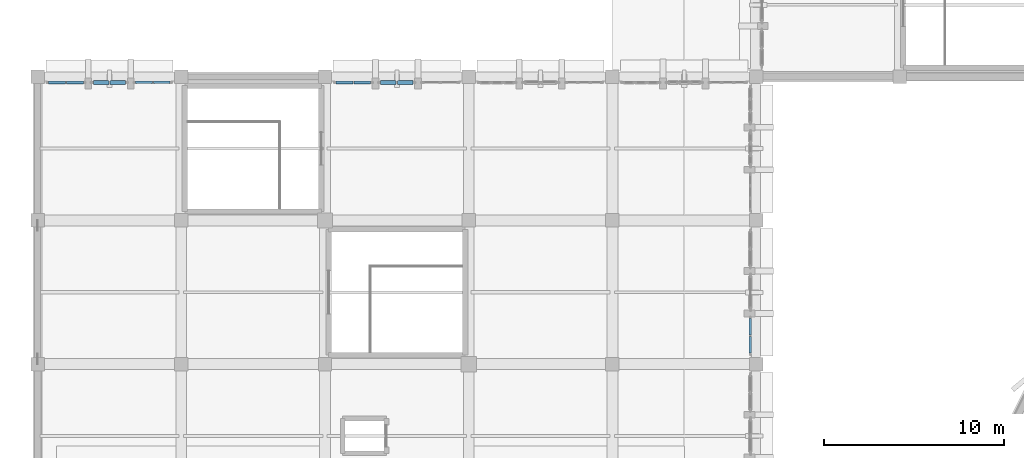
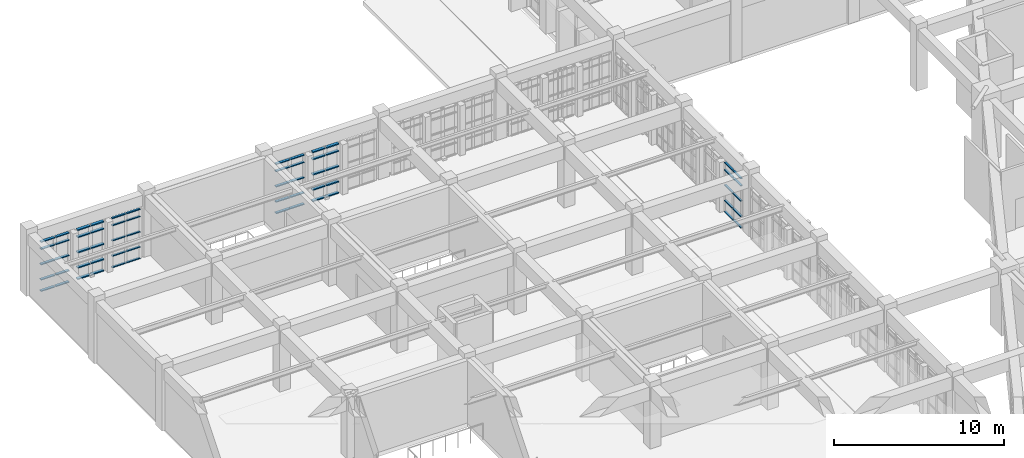
# One storey, part 64 of 155: 60 members, 6 elements without a shape of their own.
"""IFC4 building model written with IfcOpenShell, lengths in metres."""

import ifcopenshell
import ifcopenshell.guid

model = None  # the IFC model being written
_history = None  # IfcOwnerHistory: only IFC2X3 demands one
_inside = {}  # id of a spatial element -> (the spatial element, [elements in it])
_under = {}  # id of a project, library or spatial element -> (it, [spatial elements below it])
_declared = {}  # id of a project -> (the project, [libraries it declares])
_typed = {}  # id of a type object -> (the type object, [elements of that type])
_made_of = {}  # id of a material, layer set ... -> (it, [elements and type objects made of it])


def new_model(schema):
    """Start an empty IFC model of exactly this schema.

    Asked for "IFC4X3", IfcOpenShell would pick the latest addendum, in which some entities
    have other attributes; the version numbers below select the first issue.
    IFC2X3 requires an IfcOwnerHistory on every rooted entity: one is made here for all.
    """
    global model, _history
    if schema == "IFC4X3":
        model = ifcopenshell.file(schema_version=(4, 3, 0, 0))
    else:
        model = ifcopenshell.file(schema=schema)
    _inside.clear()
    _under.clear()
    _declared.clear()
    _typed.clear()
    _made_of.clear()
    _history = None
    if model.schema == "IFC2X3":
        org = make("IfcOrganization", Name="unknown")
        user = make(
            "IfcPersonAndOrganization",
            ThePerson=make("IfcPerson", FamilyName="unknown"),
            TheOrganization=org,
        )
        app = make(
            "IfcApplication",
            ApplicationDeveloper=org,
            Version="unknown",
            ApplicationFullName="unknown",
            ApplicationIdentifier="unknown",
        )
        _history = make(
            "IfcOwnerHistory",
            OwningUser=user,
            OwningApplication=app,
            ChangeAction="ADDED",
            CreationDate=0,
        )
    return model


def make(cls, **values):
    """One entity of the class cls with the attributes given. An attribute that is None is left unset."""
    return model.create_entity(
        cls, **{name: value for name, value in values.items() if value is not None}
    )


def rooted(cls, **values):
    """An entity with a GlobalId (a new one), such as an element, a storey or a relation."""
    return make(cls, GlobalId=ifcopenshell.guid.new(), OwnerHistory=_history, **values)


def si_unit(unit_type, name, prefix=None):
    """IfcSIUnit, for example si_unit("LENGTHUNIT", "METRE", prefix="MILLI")."""
    return make("IfcSIUnit", UnitType=unit_type, Prefix=prefix, Name=name)


def assignment(units):
    """IfcUnitAssignment: the units of a project."""
    return None if units is None else make("IfcUnitAssignment", Units=units)


def point(xyz):
    """IfcCartesianPoint."""
    return None if xyz is None else make("IfcCartesianPoint", Coordinates=xyz)


def direction(xyz):
    """IfcDirection."""
    return None if xyz is None else make("IfcDirection", DirectionRatios=xyz)


def frame(location, z_axis=None, x_axis=None):
    """IfcAxis2Placement3D, a coordinate frame: its origin and axes. An axis left out is left unset."""
    return make(
        "IfcAxis2Placement3D",
        Location=point(location),
        Axis=direction(z_axis),
        RefDirection=direction(x_axis),
    )


def frame_2d(location, x_axis=None):
    """IfcAxis2Placement2D, a coordinate frame in the plane: its origin and x axis."""
    return make(
        "IfcAxis2Placement2D", Location=point(location), RefDirection=direction(x_axis)
    )


def origin():
    """The frame at (0, 0, 0) with its axes left unset."""
    return frame((0.0, 0.0, 0.0))


def origin_2d():
    """The frame at (0, 0) in the plane with its x axis left unset."""
    return frame_2d((0.0, 0.0))


def place(relative_to, where):
    """IfcLocalPlacement: puts the frame where relative to a parent placement (None: the world)."""
    return make(
        "IfcLocalPlacement", PlacementRelTo=relative_to, RelativePlacement=where
    )


def context(
    kind, dimensions, precision=None, world=None, true_north=None, identifier=None
):
    """IfcGeometricRepresentationContext, for example the 3D "Model" context."""
    return make(
        "IfcGeometricRepresentationContext",
        ContextIdentifier=identifier,
        ContextType=kind,
        CoordinateSpaceDimension=dimensions,
        Precision=precision,
        WorldCoordinateSystem=world,
        TrueNorth=true_north,
    )


def subcontext(parent, identifier, kind, view, scale=None):
    """IfcGeometricRepresentationSubContext, for example "Body" below "Model"."""
    return make(
        "IfcGeometricRepresentationSubContext",
        ContextIdentifier=identifier,
        ContextType=kind,
        ParentContext=parent,
        TargetScale=scale,
        TargetView=view,
    )


def project(units=None, contexts=None):
    """IfcProject with its units and contexts."""
    return rooted(
        "IfcProject",
        Name="project",
        RepresentationContexts=contexts,
        UnitsInContext=assignment(units),
    )


def spatial(cls, under=None, at=None, **own):
    """A site, building, storey or space (cls), placed at a placement, below another one or the project."""
    s = rooted(cls, ObjectPlacement=at, **own)
    if under is not None:
        _under.setdefault(under.id(), (under, []))[1].append(s)
    return s


def profile(cls, at=None, kind="AREA", **sizes):
    """A parametric profile (cls). Its sizes go by their IFC names, for example OverallWidth=200.0."""
    return make(cls, ProfileType=kind, Position=at, **sizes)


def rectangle(**sizes):
    """IfcRectangleProfileDef."""
    return profile("IfcRectangleProfileDef", **sizes)


def extrude(swept, where, along, depth):
    """IfcExtrudedAreaSolid: the profile swept, set in the frame where, extruded along a direction by depth."""
    return make(
        "IfcExtrudedAreaSolid",
        SweptArea=swept,
        Position=where,
        ExtrudedDirection=direction(along),
        Depth=depth,
    )


def shape(context_of_items, identifier, shape_type, items):
    """IfcShapeRepresentation: the items that make up one representation, for example the "Body"."""
    return make(
        "IfcShapeRepresentation",
        ContextOfItems=context_of_items,
        RepresentationIdentifier=identifier,
        RepresentationType=shape_type,
        Items=items,
    )


def material(Name=None, Category=None):
    """IfcMaterial."""
    return make("IfcMaterial", Name=Name, Category=Category)


def layer(
    of_material, thickness, ventilated=None, Name=None, Category=None, Priority=None
):
    """IfcMaterialLayer: one layer of a wall or slab, of a material (None: an air gap)."""
    return make(
        "IfcMaterialLayer",
        Material=of_material,
        LayerThickness=thickness,
        IsVentilated=ventilated,
        Name=Name,
        Category=Category,
        Priority=Priority,
    )


def layer_set(layers, Name=None):
    """IfcMaterialLayerSet."""
    return make("IfcMaterialLayerSet", MaterialLayers=layers, LayerSetName=Name)


def material_profile(
    of_material, cross_section, Name=None, Category=None, Priority=None
):
    """IfcMaterialProfile: a cross section and its material."""
    return make(
        "IfcMaterialProfile",
        Name=Name,
        Material=of_material,
        Profile=cross_section,
        Priority=Priority,
        Category=Category,
    )


def profile_set(profiles, Name=None, composite=None):
    """IfcMaterialProfileSet."""
    return make(
        "IfcMaterialProfileSet",
        Name=Name,
        MaterialProfiles=profiles,
        CompositeProfile=composite,
    )


def made_of(thing, what):
    """Note that an element or type object is made of a material, layer set ...; save() writes the relation."""
    if what is not None:
        _made_of.setdefault(what.id(), (what, []))[1].append(thing)
    return thing


def type_object(cls, material=None, **own):
    """A type object (cls), such as IfcWallType, which elements share."""
    return made_of(rooted(cls, **own), material)


def element(
    cls,
    number,
    at=None,
    inside=None,
    cuts=None,
    type_object=None,
    material=None,
    context=None,
    identifier="Body",
    shape_type=None,
    held_by="IfcProductDefinitionShape",
    body=None,
    shapes=None,
    **own,
):
    """One element of the class cls, such as IfcWall. Its Tag is "e" and its number.

    at: its placement. inside: the storey or other place that contains it. cuts: it is an
    opening in that element (IfcRelVoidsElement). A single representation is given by context,
    identifier, shape_type and body (its items); several are given by shapes. held_by: the class
    of the entity that holds the representations. save() writes the other relations.
    """
    e = rooted(cls, Tag="e%d" % number, ObjectPlacement=at, **own)
    if body is not None:
        shapes = [shape(context, identifier, shape_type, body)]
    if shapes is not None:
        e.Representation = make(held_by, Representations=shapes)
    if inside is not None:
        _inside.setdefault(inside.id(), (inside, []))[1].append(e)
    if cuts is not None:
        rooted(
            "IfcRelVoidsElement", RelatingBuildingElement=cuts, RelatedOpeningElement=e
        )
    if type_object is not None:
        _typed.setdefault(type_object.id(), (type_object, []))[1].append(e)
    return made_of(e, material)


def aggregate(whole, parts):
    """IfcRelAggregates: a whole, such as a stair, and the parts it consists of."""
    return rooted("IfcRelAggregates", RelatingObject=whole, RelatedObjects=parts)


def save(model, path):
    """Write the relations noted so far, then the file.

    IfcRelAggregates (storeys below a building ...), IfcRelContainedInSpatialStructure (elements
    in a storey), IfcRelDefinesByType, IfcRelAssociatesMaterial and IfcRelDeclares: one each for
    every whole, place, type object, material and project.
    """
    for whole, parts in _under.values():
        aggregate(whole, parts)
    for where, things in _inside.values():
        rooted(
            "IfcRelContainedInSpatialStructure",
            RelatedElements=things,
            RelatingStructure=where,
        )
    for kind, things in _typed.values():
        rooted("IfcRelDefinesByType", RelatedObjects=things, RelatingType=kind)
    for what, things in _made_of.values():
        rooted("IfcRelAssociatesMaterial", RelatedObjects=things, RelatingMaterial=what)
    for by, libraries in _declared.values():
        rooted("IfcRelDeclares", RelatingContext=by, RelatedDefinitions=libraries)
    model.write(path)


model = new_model("IFC4")

# Units and contexts
model_context = context("Model", 3, precision=1e-05, world=origin(), true_north=direction((0.0, 1.0)))
body_context = subcontext(model_context, "Body", "Model", "MODEL_VIEW")
ifc_project = project(units=[si_unit("LENGTHUNIT", "METRE"), si_unit("AREAUNIT", "SQUARE_METRE"), si_unit("VOLUMEUNIT", "CUBIC_METRE"), si_unit("PLANEANGLEUNIT", "RADIAN"), si_unit("MASSUNIT", "GRAM", prefix="KILO")], contexts=[model_context])

# Site, building, storey
site_placement = place(None, origin())
site = spatial("IfcSite", under=ifc_project, at=site_placement, CompositionType="ELEMENT")
building_placement = place(site_placement, origin())
building = spatial("IfcBuilding", under=site, at=building_placement, Name="Tazarka Park Arena", CompositionType="ELEMENT")
storey_placement = place(building_placement, frame((0.0, 0.0, 5.39990234375)))
storey = spatial("IfcBuildingStorey", under=building, at=storey_placement, Name="L01", CompositionType="ELEMENT", Elevation=5.39990234375)

# Curtain wall, members
ifc_material_1 = material(Name="Aluminium and low-e glass", Category="aluminium")
ifc_layer_1 = layer(ifc_material_1, 0.179931640625, Name="Aluminium and low-e glass")
ifc_layer_set_1 = layer_set([ifc_layer_1], Name="Aluminium and low-e glass")
curtain_wall_type_1 = type_object("IfcCurtainWallType", Name="CW-30", PredefinedType="NOTDEFINED", material=ifc_layer_set_1)
curtain_wall_1_placement = place(storey_placement, origin())
curtain_wall_1 = element("IfcCurtainWall", 1, at=curtain_wall_1_placement, inside=storey, type_object=curtain_wall_type_1, Name="Curtain Wall CWA-L01-120", PredefinedType="NOTDEFINED")
ifc_material_2 = material(Name="Aluminium 6060-T66", Category="aluminium")
ifc_material_profile_1 = material_profile(ifc_material_2, rectangle(XDim=0.139892578125, YDim=0.06494140625, at=origin_2d()), Name="Aluminium 6060-T66")
ifc_profile_set_1 = profile_set([ifc_material_profile_1], Name="Aluminium 6060-T66")
member_type_1 = type_object("IfcMemberType", Name="CWT-01", PredefinedType="USERDEFINED", material=ifc_profile_set_1)
member_1_placement = place(storey_placement, frame((39.679931640625, 98.543212890625, 0.03271484375), z_axis=(0.0, -1.0, 0.0), x_axis=(1.0, 0.0, 0.0)))
member_1 = element("IfcMember", 2, at=member_1_placement, type_object=member_type_1, Name="CW-30 transom 1.1", ObjectType="TRANSOM", PredefinedType="USERDEFINED", context=body_context, shape_type="SweptSolid", body=[
    extrude(rectangle(XDim=0.139892578125, YDim=0.06494140625, at=origin_2d()), origin(), (0.0, 0.0, 1.0), 0.928955078125),
])
member_2_placement = place(storey_placement, frame((39.679931640625, 98.543212890625, 0.85009765625), z_axis=(0.0, -1.0, 0.0), x_axis=(1.0, 0.0, 0.0)))
member_2 = element("IfcMember", 3, at=member_2_placement, type_object=member_type_1, Name="CW-30 transom 1.2", ObjectType="TRANSOM", PredefinedType="USERDEFINED", context=body_context, shape_type="SweptSolid", body=[
    extrude(rectangle(XDim=0.139892578125, YDim=0.06494140625, at=origin_2d()), origin(), (0.0, 0.0, 1.0), 0.928955078125),
])
member_3_placement = place(storey_placement, frame((39.679931640625, 98.543212890625, 1.9501953125), z_axis=(0.0, -1.0, 0.0), x_axis=(1.0, 0.0, 0.0)))
member_3 = element("IfcMember", 4, at=member_3_placement, type_object=member_type_1, Name="CW-30 transom 1.3", ObjectType="TRANSOM", PredefinedType="USERDEFINED", context=body_context, shape_type="SweptSolid", body=[
    extrude(rectangle(XDim=0.139892578125, YDim=0.06494140625, at=origin_2d()), origin(), (0.0, 0.0, 1.0), 0.928955078125),
])
member_4_placement = place(storey_placement, frame((39.679931640625, 98.543212890625, 3.050048828125), z_axis=(0.0, -1.0, 0.0), x_axis=(1.0, 0.0, 0.0)))
member_4 = element("IfcMember", 5, at=member_4_placement, type_object=member_type_1, Name="CW-30 transom 1.4", ObjectType="TRANSOM", PredefinedType="USERDEFINED", context=body_context, shape_type="SweptSolid", body=[
    extrude(rectangle(XDim=0.139892578125, YDim=0.06494140625, at=origin_2d()), origin(), (0.0, 0.0, 1.0), 0.928955078125),
])
member_5_placement = place(storey_placement, frame((39.679931640625, 98.543212890625, 3.567626953125), z_axis=(0.0, -1.0, 0.0), x_axis=(1.0, 0.0, 0.0)))
member_5 = element("IfcMember", 6, at=member_5_placement, type_object=member_type_1, Name="CW-30 transom 1.5", ObjectType="TRANSOM", PredefinedType="USERDEFINED", context=body_context, shape_type="SweptSolid", body=[
    extrude(rectangle(XDim=0.139892578125, YDim=0.06494140625, at=origin_2d()), origin(), (0.0, 0.0, 1.0), 0.928955078125),
])
member_6_placement = place(storey_placement, frame((39.679931640625, 97.549072265625, 0.03271484375), z_axis=(0.0, -1.0, 0.0), x_axis=(1.0, 0.0, 0.0)))
member_6 = element("IfcMember", 7, at=member_6_placement, type_object=member_type_1, Name="CW-30 transom 2.1", ObjectType="TRANSOM", PredefinedType="USERDEFINED", context=body_context, shape_type="SweptSolid", body=[
    extrude(rectangle(XDim=0.139892578125, YDim=0.06494140625, at=origin_2d()), origin(), (0.0, 0.0, 1.0), 0.928955078125),
])
member_7_placement = place(storey_placement, frame((39.679931640625, 97.549072265625, 0.85009765625), z_axis=(0.0, -1.0, 0.0), x_axis=(1.0, 0.0, 0.0)))
member_7 = element("IfcMember", 8, at=member_7_placement, type_object=member_type_1, Name="CW-30 transom 2.2", ObjectType="TRANSOM", PredefinedType="USERDEFINED", context=body_context, shape_type="SweptSolid", body=[
    extrude(rectangle(XDim=0.139892578125, YDim=0.06494140625, at=origin_2d()), origin(), (0.0, 0.0, 1.0), 0.928955078125),
])
member_8_placement = place(storey_placement, frame((39.679931640625, 97.549072265625, 1.9501953125), z_axis=(0.0, -1.0, 0.0), x_axis=(1.0, 0.0, 0.0)))
member_8 = element("IfcMember", 9, at=member_8_placement, type_object=member_type_1, Name="CW-30 transom 2.3", ObjectType="TRANSOM", PredefinedType="USERDEFINED", context=body_context, shape_type="SweptSolid", body=[
    extrude(rectangle(XDim=0.139892578125, YDim=0.06494140625, at=origin_2d()), origin(), (0.0, 0.0, 1.0), 0.928955078125),
])
member_9_placement = place(storey_placement, frame((39.679931640625, 97.549072265625, 3.050048828125), z_axis=(0.0, -1.0, 0.0), x_axis=(1.0, 0.0, 0.0)))
member_9 = element("IfcMember", 10, at=member_9_placement, type_object=member_type_1, Name="CW-30 transom 2.4", ObjectType="TRANSOM", PredefinedType="USERDEFINED", context=body_context, shape_type="SweptSolid", body=[
    extrude(rectangle(XDim=0.139892578125, YDim=0.06494140625, at=origin_2d()), origin(), (0.0, 0.0, 1.0), 0.928955078125),
])
member_10_placement = place(storey_placement, frame((39.679931640625, 97.549072265625, 3.567626953125), z_axis=(0.0, -1.0, 0.0), x_axis=(1.0, 0.0, 0.0)))
member_10 = element("IfcMember", 11, at=member_10_placement, type_object=member_type_1, Name="CW-30 transom 2.5", ObjectType="TRANSOM", PredefinedType="USERDEFINED", context=body_context, shape_type="SweptSolid", body=[
    extrude(rectangle(XDim=0.139892578125, YDim=0.06494140625, at=origin_2d()), origin(), (0.0, 0.0, 1.0), 0.928955078125),
])
aggregate(curtain_wall_1, [member_1, member_2, member_3, member_4, member_5, member_6, member_7, member_8, member_9, member_10])

ifc_material_3 = material(Name="Aluminium and low-e glass", Category="aluminium")
ifc_layer_2 = layer(ifc_material_3, 0.179931640625, Name="Aluminium and low-e glass")
ifc_layer_set_2 = layer_set([ifc_layer_2], Name="Aluminium and low-e glass")
curtain_wall_type_2 = type_object("IfcCurtainWallType", Name="CW-15", PredefinedType="NOTDEFINED", material=ifc_layer_set_2)
curtain_wall_2_placement = place(storey_placement, origin())
curtain_wall_2 = element("IfcCurtainWall", 12, at=curtain_wall_2_placement, inside=storey, type_object=curtain_wall_type_2, Name="Curtain Wall CWA-L01-135", PredefinedType="NOTDEFINED")
member_11_placement = place(storey_placement, frame((5.456787109375, 111.679931640625, 0.03271484375), z_axis=(1.0, 0.0, 0.0), x_axis=(0.0, 1.0, 0.0)))
member_11 = element("IfcMember", 13, at=member_11_placement, type_object=member_type_1, Name="CW-15 transom 1.1", ObjectType="TRANSOM", PredefinedType="USERDEFINED", context=body_context, shape_type="SweptSolid", body=[
    extrude(rectangle(XDim=0.139892578125, YDim=0.06494140625, at=origin_2d()), origin(), (0.0, 0.0, 1.0), 0.928955078125),
])
member_12_placement = place(storey_placement, frame((5.456787109375, 111.679931640625, 0.85009765625), z_axis=(1.0, 0.0, 0.0), x_axis=(0.0, 1.0, 0.0)))
member_12 = element("IfcMember", 14, at=member_12_placement, type_object=member_type_1, Name="CW-15 transom 1.2", ObjectType="TRANSOM", PredefinedType="USERDEFINED", context=body_context, shape_type="SweptSolid", body=[
    extrude(rectangle(XDim=0.139892578125, YDim=0.06494140625, at=origin_2d()), origin(), (0.0, 0.0, 1.0), 0.928955078125),
])
member_13_placement = place(storey_placement, frame((5.456787109375, 111.679931640625, 1.9501953125), z_axis=(1.0, 0.0, 0.0), x_axis=(0.0, 1.0, 0.0)))
member_13 = element("IfcMember", 15, at=member_13_placement, type_object=member_type_1, Name="CW-15 transom 1.3", ObjectType="TRANSOM", PredefinedType="USERDEFINED", context=body_context, shape_type="SweptSolid", body=[
    extrude(rectangle(XDim=0.139892578125, YDim=0.06494140625, at=origin_2d()), origin(), (0.0, 0.0, 1.0), 0.928955078125),
])
member_14_placement = place(storey_placement, frame((5.456787109375, 111.679931640625, 3.050048828125), z_axis=(1.0, 0.0, 0.0), x_axis=(0.0, 1.0, 0.0)))
member_14 = element("IfcMember", 16, at=member_14_placement, type_object=member_type_1, Name="CW-15 transom 1.4", ObjectType="TRANSOM", PredefinedType="USERDEFINED", context=body_context, shape_type="SweptSolid", body=[
    extrude(rectangle(XDim=0.139892578125, YDim=0.06494140625, at=origin_2d()), origin(), (0.0, 0.0, 1.0), 0.928955078125),
])
member_15_placement = place(storey_placement, frame((5.456787109375, 111.679931640625, 3.567626953125), z_axis=(1.0, 0.0, 0.0), x_axis=(0.0, 1.0, 0.0)))
member_15 = element("IfcMember", 17, at=member_15_placement, type_object=member_type_1, Name="CW-15 transom 1.5", ObjectType="TRANSOM", PredefinedType="USERDEFINED", context=body_context, shape_type="SweptSolid", body=[
    extrude(rectangle(XDim=0.139892578125, YDim=0.06494140625, at=origin_2d()), origin(), (0.0, 0.0, 1.0), 0.928955078125),
])
member_16_placement = place(storey_placement, frame((6.450927734375, 111.679931640625, 0.03271484375), z_axis=(1.0, 0.0, 0.0), x_axis=(0.0, 1.0, 0.0)))
member_16 = element("IfcMember", 18, at=member_16_placement, type_object=member_type_1, Name="CW-15 transom 2.1", ObjectType="TRANSOM", PredefinedType="USERDEFINED", context=body_context, shape_type="SweptSolid", body=[
    extrude(rectangle(XDim=0.139892578125, YDim=0.06494140625, at=origin_2d()), origin(), (0.0, 0.0, 1.0), 0.928955078125),
])
member_17_placement = place(storey_placement, frame((6.450927734375, 111.679931640625, 0.85009765625), z_axis=(1.0, 0.0, 0.0), x_axis=(0.0, 1.0, 0.0)))
member_17 = element("IfcMember", 19, at=member_17_placement, type_object=member_type_1, Name="CW-15 transom 2.2", ObjectType="TRANSOM", PredefinedType="USERDEFINED", context=body_context, shape_type="SweptSolid", body=[
    extrude(rectangle(XDim=0.139892578125, YDim=0.06494140625, at=origin_2d()), origin(), (0.0, 0.0, 1.0), 0.928955078125),
])
member_18_placement = place(storey_placement, frame((6.450927734375, 111.679931640625, 1.9501953125), z_axis=(1.0, 0.0, 0.0), x_axis=(0.0, 1.0, 0.0)))
member_18 = element("IfcMember", 20, at=member_18_placement, type_object=member_type_1, Name="CW-15 transom 2.3", ObjectType="TRANSOM", PredefinedType="USERDEFINED", context=body_context, shape_type="SweptSolid", body=[
    extrude(rectangle(XDim=0.139892578125, YDim=0.06494140625, at=origin_2d()), origin(), (0.0, 0.0, 1.0), 0.928955078125),
])
member_19_placement = place(storey_placement, frame((6.450927734375, 111.679931640625, 3.050048828125), z_axis=(1.0, 0.0, 0.0), x_axis=(0.0, 1.0, 0.0)))
member_19 = element("IfcMember", 21, at=member_19_placement, type_object=member_type_1, Name="CW-15 transom 2.4", ObjectType="TRANSOM", PredefinedType="USERDEFINED", context=body_context, shape_type="SweptSolid", body=[
    extrude(rectangle(XDim=0.139892578125, YDim=0.06494140625, at=origin_2d()), origin(), (0.0, 0.0, 1.0), 0.928955078125),
])
member_20_placement = place(storey_placement, frame((6.450927734375, 111.679931640625, 3.567626953125), z_axis=(1.0, 0.0, 0.0), x_axis=(0.0, 1.0, 0.0)))
member_20 = element("IfcMember", 22, at=member_20_placement, type_object=member_type_1, Name="CW-15 transom 2.5", ObjectType="TRANSOM", PredefinedType="USERDEFINED", context=body_context, shape_type="SweptSolid", body=[
    extrude(rectangle(XDim=0.139892578125, YDim=0.06494140625, at=origin_2d()), origin(), (0.0, 0.0, 1.0), 0.928955078125),
])
aggregate(curtain_wall_2, [member_11, member_12, member_13, member_14, member_15, member_16, member_17, member_18, member_19, member_20])

ifc_material_4 = material(Name="Aluminium and low-e glass", Category="aluminium")
ifc_layer_3 = layer(ifc_material_4, 0.179931640625, Name="Aluminium and low-e glass")
ifc_layer_set_3 = layer_set([ifc_layer_3], Name="Aluminium and low-e glass")
curtain_wall_type_3 = type_object("IfcCurtainWallType", Name="CW-10", PredefinedType="NOTDEFINED", material=ifc_layer_set_3)
curtain_wall_3_placement = place(storey_placement, origin())
curtain_wall_3 = element("IfcCurtainWall", 23, at=curtain_wall_3_placement, inside=storey, type_object=curtain_wall_type_3, Name="Curtain Wall CWA-L01-130", PredefinedType="NOTDEFINED")
ifc_material_5 = material(Name="Aluminium 6060-T66", Category="aluminium")
ifc_material_profile_2 = material_profile(ifc_material_5, rectangle(XDim=0.179931640625, YDim=0.06494140625, at=origin_2d()), Name="Aluminium 6060-T66")
ifc_profile_set_2 = profile_set([ifc_material_profile_2], Name="Aluminium 6060-T66")
member_type_2 = type_object("IfcMemberType", Name="CWT-02", PredefinedType="USERDEFINED", material=ifc_profile_set_2)
member_21_placement = place(storey_placement, frame((16.6201171875, 111.679931640625, 0.03271484375), z_axis=(1.0, 0.0, 0.0), x_axis=(0.0, 1.0, 0.0)))
member_21 = element("IfcMember", 24, at=member_21_placement, type_object=member_type_2, Name="CW-10 transom 1.1", ObjectType="TRANSOM", PredefinedType="USERDEFINED", context=body_context, shape_type="SweptSolid", body=[
    extrude(rectangle(XDim=0.179931640625, YDim=0.06494140625, at=origin_2d()), origin(), (0.0, 0.0, 1.0), 0.928955078125),
])
member_22_placement = place(storey_placement, frame((16.6201171875, 111.679931640625, 0.85009765625), z_axis=(1.0, 0.0, 0.0), x_axis=(0.0, 1.0, 0.0)))
member_22 = element("IfcMember", 25, at=member_22_placement, type_object=member_type_2, Name="CW-10 transom 1.2", ObjectType="TRANSOM", PredefinedType="USERDEFINED", context=body_context, shape_type="SweptSolid", body=[
    extrude(rectangle(XDim=0.179931640625, YDim=0.06494140625, at=origin_2d()), origin(), (0.0, 0.0, 1.0), 0.928955078125),
])
member_23_placement = place(storey_placement, frame((16.6201171875, 111.679931640625, 1.9501953125), z_axis=(1.0, 0.0, 0.0), x_axis=(0.0, 1.0, 0.0)))
member_23 = element("IfcMember", 26, at=member_23_placement, type_object=member_type_2, Name="CW-10 transom 1.3", ObjectType="TRANSOM", PredefinedType="USERDEFINED", context=body_context, shape_type="SweptSolid", body=[
    extrude(rectangle(XDim=0.179931640625, YDim=0.06494140625, at=origin_2d()), origin(), (0.0, 0.0, 1.0), 0.928955078125),
])
member_24_placement = place(storey_placement, frame((16.6201171875, 111.679931640625, 3.050048828125), z_axis=(1.0, 0.0, 0.0), x_axis=(0.0, 1.0, 0.0)))
member_24 = element("IfcMember", 27, at=member_24_placement, type_object=member_type_2, Name="CW-10 transom 1.4", ObjectType="TRANSOM", PredefinedType="USERDEFINED", context=body_context, shape_type="SweptSolid", body=[
    extrude(rectangle(XDim=0.179931640625, YDim=0.06494140625, at=origin_2d()), origin(), (0.0, 0.0, 1.0), 0.928955078125),
])
member_25_placement = place(storey_placement, frame((16.6201171875, 111.679931640625, 3.567626953125), z_axis=(1.0, 0.0, 0.0), x_axis=(0.0, 1.0, 0.0)))
member_25 = element("IfcMember", 28, at=member_25_placement, type_object=member_type_2, Name="CW-10 transom 1.5", ObjectType="TRANSOM", PredefinedType="USERDEFINED", context=body_context, shape_type="SweptSolid", body=[
    extrude(rectangle(XDim=0.179931640625, YDim=0.06494140625, at=origin_2d()), origin(), (0.0, 0.0, 1.0), 0.928955078125),
])
member_26_placement = place(storey_placement, frame((17.6142578125, 111.679931640625, 0.03271484375), z_axis=(1.0, 0.0, 0.0), x_axis=(0.0, 1.0, 0.0)))
member_26 = element("IfcMember", 29, at=member_26_placement, type_object=member_type_2, Name="CW-10 transom 2.1", ObjectType="TRANSOM", PredefinedType="USERDEFINED", context=body_context, shape_type="SweptSolid", body=[
    extrude(rectangle(XDim=0.179931640625, YDim=0.06494140625, at=origin_2d()), origin(), (0.0, 0.0, 1.0), 0.928955078125),
])
member_27_placement = place(storey_placement, frame((17.6142578125, 111.679931640625, 0.85009765625), z_axis=(1.0, 0.0, 0.0), x_axis=(0.0, 1.0, 0.0)))
member_27 = element("IfcMember", 30, at=member_27_placement, type_object=member_type_2, Name="CW-10 transom 2.2", ObjectType="TRANSOM", PredefinedType="USERDEFINED", context=body_context, shape_type="SweptSolid", body=[
    extrude(rectangle(XDim=0.179931640625, YDim=0.06494140625, at=origin_2d()), origin(), (0.0, 0.0, 1.0), 0.928955078125),
])
member_28_placement = place(storey_placement, frame((17.6142578125, 111.679931640625, 1.9501953125), z_axis=(1.0, 0.0, 0.0), x_axis=(0.0, 1.0, 0.0)))
member_28 = element("IfcMember", 31, at=member_28_placement, type_object=member_type_2, Name="CW-10 transom 2.3", ObjectType="TRANSOM", PredefinedType="USERDEFINED", context=body_context, shape_type="SweptSolid", body=[
    extrude(rectangle(XDim=0.179931640625, YDim=0.06494140625, at=origin_2d()), origin(), (0.0, 0.0, 1.0), 0.928955078125),
])
member_29_placement = place(storey_placement, frame((17.6142578125, 111.679931640625, 3.050048828125), z_axis=(1.0, 0.0, 0.0), x_axis=(0.0, 1.0, 0.0)))
member_29 = element("IfcMember", 32, at=member_29_placement, type_object=member_type_2, Name="CW-10 transom 2.4", ObjectType="TRANSOM", PredefinedType="USERDEFINED", context=body_context, shape_type="SweptSolid", body=[
    extrude(rectangle(XDim=0.179931640625, YDim=0.06494140625, at=origin_2d()), origin(), (0.0, 0.0, 1.0), 0.928955078125),
])
member_30_placement = place(storey_placement, frame((17.6142578125, 111.679931640625, 3.567626953125), z_axis=(1.0, 0.0, 0.0), x_axis=(0.0, 1.0, 0.0)))
member_30 = element("IfcMember", 33, at=member_30_placement, type_object=member_type_2, Name="CW-10 transom 2.5", ObjectType="TRANSOM", PredefinedType="USERDEFINED", context=body_context, shape_type="SweptSolid", body=[
    extrude(rectangle(XDim=0.179931640625, YDim=0.06494140625, at=origin_2d()), origin(), (0.0, 0.0, 1.0), 0.928955078125),
])
aggregate(curtain_wall_3, [member_21, member_22, member_23, member_24, member_25, member_26, member_27, member_28, member_29, member_30])

ifc_material_6 = material(Name="Aluminium and low-e glass", Category="aluminium")
ifc_layer_4 = layer(ifc_material_6, 0.179931640625, Name="Aluminium and low-e glass")
ifc_layer_set_4 = layer_set([ifc_layer_4], Name="Aluminium and low-e glass")
curtain_wall_type_4 = type_object("IfcCurtainWallType", Name="CW-13", PredefinedType="NOTDEFINED", material=ifc_layer_set_4)
curtain_wall_4_placement = place(storey_placement, origin())
curtain_wall_4 = element("IfcCurtainWall", 34, at=curtain_wall_4_placement, inside=storey, type_object=curtain_wall_type_4, Name="Curtain Wall CWA-L01-133", PredefinedType="NOTDEFINED")
member_31_placement = place(storey_placement, frame((0.6201171875, 111.679931640625, 0.03271484375), z_axis=(1.0, 0.0, 0.0), x_axis=(0.0, 1.0, 0.0)))
member_31 = element("IfcMember", 35, at=member_31_placement, type_object=member_type_2, Name="CW-13 transom 1.1", ObjectType="TRANSOM", PredefinedType="USERDEFINED", context=body_context, shape_type="SweptSolid", body=[
    extrude(rectangle(XDim=0.179931640625, YDim=0.06494140625, at=origin_2d()), origin(), (0.0, 0.0, 1.0), 0.928955078125),
])
member_32_placement = place(storey_placement, frame((0.6201171875, 111.679931640625, 0.85009765625), z_axis=(1.0, 0.0, 0.0), x_axis=(0.0, 1.0, 0.0)))
member_32 = element("IfcMember", 36, at=member_32_placement, type_object=member_type_2, Name="CW-13 transom 1.2", ObjectType="TRANSOM", PredefinedType="USERDEFINED", context=body_context, shape_type="SweptSolid", body=[
    extrude(rectangle(XDim=0.179931640625, YDim=0.06494140625, at=origin_2d()), origin(), (0.0, 0.0, 1.0), 0.928955078125),
])
member_33_placement = place(storey_placement, frame((0.6201171875, 111.679931640625, 1.9501953125), z_axis=(1.0, 0.0, 0.0), x_axis=(0.0, 1.0, 0.0)))
member_33 = element("IfcMember", 37, at=member_33_placement, type_object=member_type_2, Name="CW-13 transom 1.3", ObjectType="TRANSOM", PredefinedType="USERDEFINED", context=body_context, shape_type="SweptSolid", body=[
    extrude(rectangle(XDim=0.179931640625, YDim=0.06494140625, at=origin_2d()), origin(), (0.0, 0.0, 1.0), 0.928955078125),
])
member_34_placement = place(storey_placement, frame((0.6201171875, 111.679931640625, 3.050048828125), z_axis=(1.0, 0.0, 0.0), x_axis=(0.0, 1.0, 0.0)))
member_34 = element("IfcMember", 38, at=member_34_placement, type_object=member_type_2, Name="CW-13 transom 1.4", ObjectType="TRANSOM", PredefinedType="USERDEFINED", context=body_context, shape_type="SweptSolid", body=[
    extrude(rectangle(XDim=0.179931640625, YDim=0.06494140625, at=origin_2d()), origin(), (0.0, 0.0, 1.0), 0.928955078125),
])
member_35_placement = place(storey_placement, frame((0.6201171875, 111.679931640625, 3.567626953125), z_axis=(1.0, 0.0, 0.0), x_axis=(0.0, 1.0, 0.0)))
member_35 = element("IfcMember", 39, at=member_35_placement, type_object=member_type_2, Name="CW-13 transom 1.5", ObjectType="TRANSOM", PredefinedType="USERDEFINED", context=body_context, shape_type="SweptSolid", body=[
    extrude(rectangle(XDim=0.179931640625, YDim=0.06494140625, at=origin_2d()), origin(), (0.0, 0.0, 1.0), 0.928955078125),
])
member_36_placement = place(storey_placement, frame((1.6142578125, 111.679931640625, 0.03271484375), z_axis=(1.0, 0.0, 0.0), x_axis=(0.0, 1.0, 0.0)))
member_36 = element("IfcMember", 40, at=member_36_placement, type_object=member_type_2, Name="CW-13 transom 2.1", ObjectType="TRANSOM", PredefinedType="USERDEFINED", context=body_context, shape_type="SweptSolid", body=[
    extrude(rectangle(XDim=0.179931640625, YDim=0.06494140625, at=origin_2d()), origin(), (0.0, 0.0, 1.0), 0.928955078125),
])
member_37_placement = place(storey_placement, frame((1.6142578125, 111.679931640625, 0.85009765625), z_axis=(1.0, 0.0, 0.0), x_axis=(0.0, 1.0, 0.0)))
member_37 = element("IfcMember", 41, at=member_37_placement, type_object=member_type_2, Name="CW-13 transom 2.2", ObjectType="TRANSOM", PredefinedType="USERDEFINED", context=body_context, shape_type="SweptSolid", body=[
    extrude(rectangle(XDim=0.179931640625, YDim=0.06494140625, at=origin_2d()), origin(), (0.0, 0.0, 1.0), 0.928955078125),
])
member_38_placement = place(storey_placement, frame((1.6142578125, 111.679931640625, 1.9501953125), z_axis=(1.0, 0.0, 0.0), x_axis=(0.0, 1.0, 0.0)))
member_38 = element("IfcMember", 42, at=member_38_placement, type_object=member_type_2, Name="CW-13 transom 2.3", ObjectType="TRANSOM", PredefinedType="USERDEFINED", context=body_context, shape_type="SweptSolid", body=[
    extrude(rectangle(XDim=0.179931640625, YDim=0.06494140625, at=origin_2d()), origin(), (0.0, 0.0, 1.0), 0.928955078125),
])
member_39_placement = place(storey_placement, frame((1.6142578125, 111.679931640625, 3.050048828125), z_axis=(1.0, 0.0, 0.0), x_axis=(0.0, 1.0, 0.0)))
member_39 = element("IfcMember", 43, at=member_39_placement, type_object=member_type_2, Name="CW-13 transom 2.4", ObjectType="TRANSOM", PredefinedType="USERDEFINED", context=body_context, shape_type="SweptSolid", body=[
    extrude(rectangle(XDim=0.179931640625, YDim=0.06494140625, at=origin_2d()), origin(), (0.0, 0.0, 1.0), 0.928955078125),
])
member_40_placement = place(storey_placement, frame((1.6142578125, 111.679931640625, 3.567626953125), z_axis=(1.0, 0.0, 0.0), x_axis=(0.0, 1.0, 0.0)))
member_40 = element("IfcMember", 44, at=member_40_placement, type_object=member_type_2, Name="CW-13 transom 2.5", ObjectType="TRANSOM", PredefinedType="USERDEFINED", context=body_context, shape_type="SweptSolid", body=[
    extrude(rectangle(XDim=0.179931640625, YDim=0.06494140625, at=origin_2d()), origin(), (0.0, 0.0, 1.0), 0.928955078125),
])
aggregate(curtain_wall_4, [member_31, member_32, member_33, member_34, member_35, member_36, member_37, member_38, member_39, member_40])

ifc_material_7 = material(Name="Aluminium and low-e glass", Category="aluminium")
ifc_layer_5 = layer(ifc_material_7, 0.179931640625, Name="Aluminium and low-e glass")
ifc_layer_set_5 = layer_set([ifc_layer_5], Name="Aluminium and low-e glass")
curtain_wall_type_5 = type_object("IfcCurtainWallType", Name="CW-11", PredefinedType="NOTDEFINED", material=ifc_layer_set_5)
curtain_wall_5_placement = place(storey_placement, origin())
curtain_wall_5 = element("IfcCurtainWall", 45, at=curtain_wall_5_placement, inside=storey, type_object=curtain_wall_type_5, Name="Curtain Wall CWA-L01-131", PredefinedType="NOTDEFINED")
ifc_material_8 = material(Name="Aluminium 6060-T66", Category="aluminium")
ifc_material_profile_3 = material_profile(ifc_material_8, rectangle(XDim=0.2099609375, YDim=0.074951171875, at=origin_2d()), Name="Aluminium 6060-T66")
ifc_profile_set_3 = profile_set([ifc_material_profile_3], Name="Aluminium 6060-T66")
member_type_3 = type_object("IfcMemberType", Name="CWT-03", PredefinedType="USERDEFINED", material=ifc_profile_set_3)
member_41_placement = place(storey_placement, frame((19.103271484375, 111.679931640625, 0.03759765625), z_axis=(1.0, 0.0, 0.0), x_axis=(0.0, 1.0, 0.0)))
member_41 = element("IfcMember", 46, at=member_41_placement, type_object=member_type_3, Name="CW-11 transom 1.1", ObjectType="TRANSOM", PredefinedType="USERDEFINED", context=body_context, shape_type="SweptSolid", body=[
    extrude(rectangle(XDim=0.2099609375, YDim=0.074951171875, at=origin_2d()), origin(), (0.0, 0.0, 1.0), 0.859130859375),
])
member_42_placement = place(storey_placement, frame((19.103271484375, 111.679931640625, 0.85009765625), z_axis=(1.0, 0.0, 0.0), x_axis=(0.0, 1.0, 0.0)))
member_42 = element("IfcMember", 47, at=member_42_placement, type_object=member_type_3, Name="CW-11 transom 1.2", ObjectType="TRANSOM", PredefinedType="USERDEFINED", context=body_context, shape_type="SweptSolid", body=[
    extrude(rectangle(XDim=0.2099609375, YDim=0.074951171875, at=origin_2d()), origin(), (0.0, 0.0, 1.0), 0.859130859375),
])
member_43_placement = place(storey_placement, frame((19.103271484375, 111.679931640625, 1.9501953125), z_axis=(1.0, 0.0, 0.0), x_axis=(0.0, 1.0, 0.0)))
member_43 = element("IfcMember", 48, at=member_43_placement, type_object=member_type_3, Name="CW-11 transom 1.3", ObjectType="TRANSOM", PredefinedType="USERDEFINED", context=body_context, shape_type="SweptSolid", body=[
    extrude(rectangle(XDim=0.2099609375, YDim=0.074951171875, at=origin_2d()), origin(), (0.0, 0.0, 1.0), 0.859130859375),
])
member_44_placement = place(storey_placement, frame((19.103271484375, 111.679931640625, 3.050048828125), z_axis=(1.0, 0.0, 0.0), x_axis=(0.0, 1.0, 0.0)))
member_44 = element("IfcMember", 49, at=member_44_placement, type_object=member_type_3, Name="CW-11 transom 1.4", ObjectType="TRANSOM", PredefinedType="USERDEFINED", context=body_context, shape_type="SweptSolid", body=[
    extrude(rectangle(XDim=0.2099609375, YDim=0.074951171875, at=origin_2d()), origin(), (0.0, 0.0, 1.0), 0.859130859375),
])
member_45_placement = place(storey_placement, frame((19.103271484375, 111.679931640625, 3.5625), z_axis=(1.0, 0.0, 0.0), x_axis=(0.0, 1.0, 0.0)))
member_45 = element("IfcMember", 50, at=member_45_placement, type_object=member_type_3, Name="CW-11 transom 1.5", ObjectType="TRANSOM", PredefinedType="USERDEFINED", context=body_context, shape_type="SweptSolid", body=[
    extrude(rectangle(XDim=0.2099609375, YDim=0.074951171875, at=origin_2d()), origin(), (0.0, 0.0, 1.0), 0.859130859375),
])
member_46_placement = place(storey_placement, frame((20.03759765625, 111.679931640625, 0.03759765625), z_axis=(1.0, 0.0, 0.0), x_axis=(0.0, 1.0, 0.0)))
member_46 = element("IfcMember", 51, at=member_46_placement, type_object=member_type_3, Name="CW-11 transom 2.1", ObjectType="TRANSOM", PredefinedType="USERDEFINED", context=body_context, shape_type="SweptSolid", body=[
    extrude(rectangle(XDim=0.2099609375, YDim=0.074951171875, at=origin_2d()), origin(), (0.0, 0.0, 1.0), 0.859130859375),
])
member_47_placement = place(storey_placement, frame((20.03759765625, 111.679931640625, 0.85009765625), z_axis=(1.0, 0.0, 0.0), x_axis=(0.0, 1.0, 0.0)))
member_47 = element("IfcMember", 52, at=member_47_placement, type_object=member_type_3, Name="CW-11 transom 2.2", ObjectType="TRANSOM", PredefinedType="USERDEFINED", context=body_context, shape_type="SweptSolid", body=[
    extrude(rectangle(XDim=0.2099609375, YDim=0.074951171875, at=origin_2d()), origin(), (0.0, 0.0, 1.0), 0.859130859375),
])
member_48_placement = place(storey_placement, frame((20.03759765625, 111.679931640625, 1.9501953125), z_axis=(1.0, 0.0, 0.0), x_axis=(0.0, 1.0, 0.0)))
member_48 = element("IfcMember", 53, at=member_48_placement, type_object=member_type_3, Name="CW-11 transom 2.3", ObjectType="TRANSOM", PredefinedType="USERDEFINED", context=body_context, shape_type="SweptSolid", body=[
    extrude(rectangle(XDim=0.2099609375, YDim=0.074951171875, at=origin_2d()), origin(), (0.0, 0.0, 1.0), 0.859130859375),
])
member_49_placement = place(storey_placement, frame((20.03759765625, 111.679931640625, 3.050048828125), z_axis=(1.0, 0.0, 0.0), x_axis=(0.0, 1.0, 0.0)))
member_49 = element("IfcMember", 54, at=member_49_placement, type_object=member_type_3, Name="CW-11 transom 2.4", ObjectType="TRANSOM", PredefinedType="USERDEFINED", context=body_context, shape_type="SweptSolid", body=[
    extrude(rectangle(XDim=0.2099609375, YDim=0.074951171875, at=origin_2d()), origin(), (0.0, 0.0, 1.0), 0.859130859375),
])
member_50_placement = place(storey_placement, frame((20.03759765625, 111.679931640625, 3.5625), z_axis=(1.0, 0.0, 0.0), x_axis=(0.0, 1.0, 0.0)))
member_50 = element("IfcMember", 55, at=member_50_placement, type_object=member_type_3, Name="CW-11 transom 2.5", ObjectType="TRANSOM", PredefinedType="USERDEFINED", context=body_context, shape_type="SweptSolid", body=[
    extrude(rectangle(XDim=0.2099609375, YDim=0.074951171875, at=origin_2d()), origin(), (0.0, 0.0, 1.0), 0.859130859375),
])
aggregate(curtain_wall_5, [member_41, member_42, member_43, member_44, member_45, member_46, member_47, member_48, member_49, member_50])

ifc_material_9 = material(Name="Aluminium and low-e glass", Category="aluminium")
ifc_layer_6 = layer(ifc_material_9, 0.179931640625, Name="Aluminium and low-e glass")
ifc_layer_set_6 = layer_set([ifc_layer_6], Name="Aluminium and low-e glass")
curtain_wall_type_6 = type_object("IfcCurtainWallType", Name="CW-14", PredefinedType="NOTDEFINED", material=ifc_layer_set_6)
curtain_wall_6_placement = place(storey_placement, origin())
curtain_wall_6 = element("IfcCurtainWall", 56, at=curtain_wall_6_placement, inside=storey, type_object=curtain_wall_type_6, Name="Curtain Wall CWA-L01-134", PredefinedType="NOTDEFINED")
member_51_placement = place(storey_placement, frame((3.103271484375, 111.679931640625, 0.03759765625), z_axis=(1.0, 0.0, 0.0), x_axis=(0.0, 1.0, 0.0)))
member_51 = element("IfcMember", 57, at=member_51_placement, type_object=member_type_3, Name="CW-14 transom 1.1", ObjectType="TRANSOM", PredefinedType="USERDEFINED", context=body_context, shape_type="SweptSolid", body=[
    extrude(rectangle(XDim=0.2099609375, YDim=0.074951171875, at=origin_2d()), origin(), (0.0, 0.0, 1.0), 0.859130859375),
])
member_52_placement = place(storey_placement, frame((3.103271484375, 111.679931640625, 0.85009765625), z_axis=(1.0, 0.0, 0.0), x_axis=(0.0, 1.0, 0.0)))
member_52 = element("IfcMember", 58, at=member_52_placement, type_object=member_type_3, Name="CW-14 transom 1.2", ObjectType="TRANSOM", PredefinedType="USERDEFINED", context=body_context, shape_type="SweptSolid", body=[
    extrude(rectangle(XDim=0.2099609375, YDim=0.074951171875, at=origin_2d()), origin(), (0.0, 0.0, 1.0), 0.859130859375),
])
member_53_placement = place(storey_placement, frame((3.103271484375, 111.679931640625, 1.9501953125), z_axis=(1.0, 0.0, 0.0), x_axis=(0.0, 1.0, 0.0)))
member_53 = element("IfcMember", 59, at=member_53_placement, type_object=member_type_3, Name="CW-14 transom 1.3", ObjectType="TRANSOM", PredefinedType="USERDEFINED", context=body_context, shape_type="SweptSolid", body=[
    extrude(rectangle(XDim=0.2099609375, YDim=0.074951171875, at=origin_2d()), origin(), (0.0, 0.0, 1.0), 0.859130859375),
])
member_54_placement = place(storey_placement, frame((3.103271484375, 111.679931640625, 3.050048828125), z_axis=(1.0, 0.0, 0.0), x_axis=(0.0, 1.0, 0.0)))
member_54 = element("IfcMember", 60, at=member_54_placement, type_object=member_type_3, Name="CW-14 transom 1.4", ObjectType="TRANSOM", PredefinedType="USERDEFINED", context=body_context, shape_type="SweptSolid", body=[
    extrude(rectangle(XDim=0.2099609375, YDim=0.074951171875, at=origin_2d()), origin(), (0.0, 0.0, 1.0), 0.859130859375),
])
member_55_placement = place(storey_placement, frame((3.103271484375, 111.679931640625, 3.5625), z_axis=(1.0, 0.0, 0.0), x_axis=(0.0, 1.0, 0.0)))
member_55 = element("IfcMember", 61, at=member_55_placement, type_object=member_type_3, Name="CW-14 transom 1.5", ObjectType="TRANSOM", PredefinedType="USERDEFINED", context=body_context, shape_type="SweptSolid", body=[
    extrude(rectangle(XDim=0.2099609375, YDim=0.074951171875, at=origin_2d()), origin(), (0.0, 0.0, 1.0), 0.859130859375),
])
member_56_placement = place(storey_placement, frame((4.03759765625, 111.679931640625, 0.03759765625), z_axis=(1.0, 0.0, 0.0), x_axis=(0.0, 1.0, 0.0)))
member_56 = element("IfcMember", 62, at=member_56_placement, type_object=member_type_3, Name="CW-14 transom 2.1", ObjectType="TRANSOM", PredefinedType="USERDEFINED", context=body_context, shape_type="SweptSolid", body=[
    extrude(rectangle(XDim=0.2099609375, YDim=0.074951171875, at=origin_2d()), origin(), (0.0, 0.0, 1.0), 0.859130859375),
])
member_57_placement = place(storey_placement, frame((4.03759765625, 111.679931640625, 0.85009765625), z_axis=(1.0, 0.0, 0.0), x_axis=(0.0, 1.0, 0.0)))
member_57 = element("IfcMember", 63, at=member_57_placement, type_object=member_type_3, Name="CW-14 transom 2.2", ObjectType="TRANSOM", PredefinedType="USERDEFINED", context=body_context, shape_type="SweptSolid", body=[
    extrude(rectangle(XDim=0.2099609375, YDim=0.074951171875, at=origin_2d()), origin(), (0.0, 0.0, 1.0), 0.859130859375),
])
member_58_placement = place(storey_placement, frame((4.03759765625, 111.679931640625, 1.9501953125), z_axis=(1.0, 0.0, 0.0), x_axis=(0.0, 1.0, 0.0)))
member_58 = element("IfcMember", 64, at=member_58_placement, type_object=member_type_3, Name="CW-14 transom 2.3", ObjectType="TRANSOM", PredefinedType="USERDEFINED", context=body_context, shape_type="SweptSolid", body=[
    extrude(rectangle(XDim=0.2099609375, YDim=0.074951171875, at=origin_2d()), origin(), (0.0, 0.0, 1.0), 0.859130859375),
])
member_59_placement = place(storey_placement, frame((4.03759765625, 111.679931640625, 3.050048828125), z_axis=(1.0, 0.0, 0.0), x_axis=(0.0, 1.0, 0.0)))
member_59 = element("IfcMember", 65, at=member_59_placement, type_object=member_type_3, Name="CW-14 transom 2.4", ObjectType="TRANSOM", PredefinedType="USERDEFINED", context=body_context, shape_type="SweptSolid", body=[
    extrude(rectangle(XDim=0.2099609375, YDim=0.074951171875, at=origin_2d()), origin(), (0.0, 0.0, 1.0), 0.859130859375),
])
member_60_placement = place(storey_placement, frame((4.03759765625, 111.679931640625, 3.5625), z_axis=(1.0, 0.0, 0.0), x_axis=(0.0, 1.0, 0.0)))
member_60 = element("IfcMember", 66, at=member_60_placement, type_object=member_type_3, Name="CW-14 transom 2.5", ObjectType="TRANSOM", PredefinedType="USERDEFINED", context=body_context, shape_type="SweptSolid", body=[
    extrude(rectangle(XDim=0.2099609375, YDim=0.074951171875, at=origin_2d()), origin(), (0.0, 0.0, 1.0), 0.859130859375),
])
aggregate(curtain_wall_6, [member_51, member_52, member_53, member_54, member_55, member_56, member_57, member_58, member_59, member_60])

save(model, "model.ifc")
